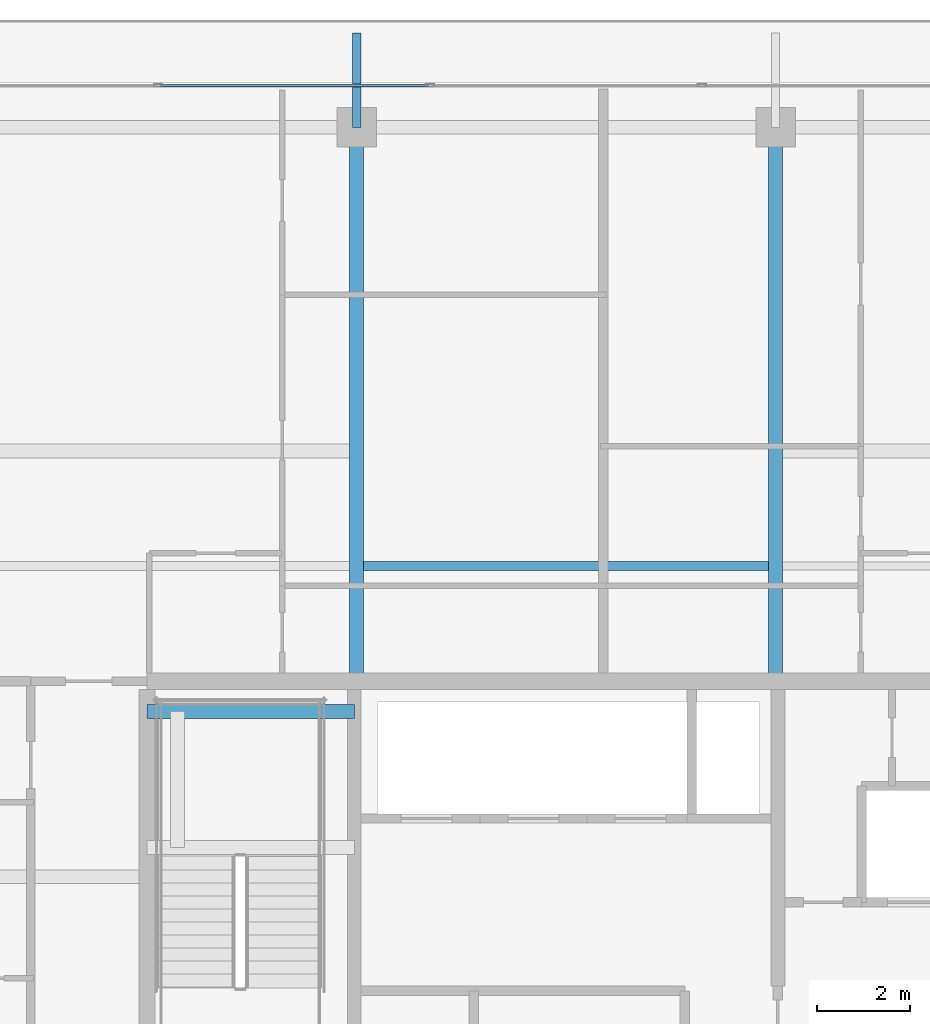
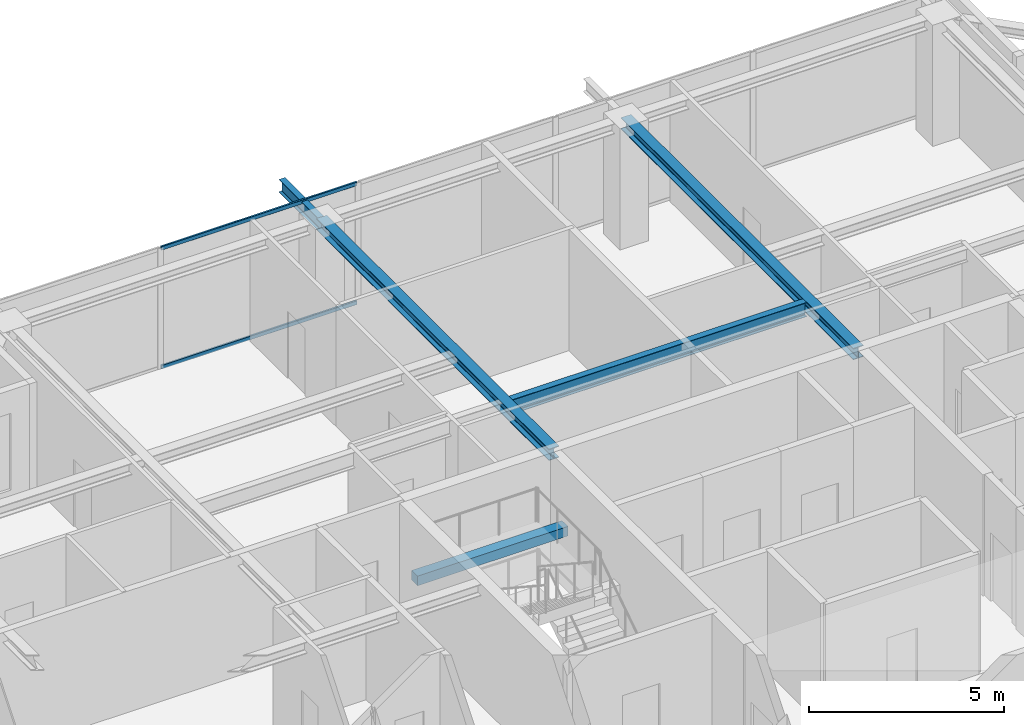
# One storey, part 19 of 36: 5 beams, 2 members, 1 element without a shape of its own.
"""IFC4 building model written with IfcOpenShell, lengths in metres."""

from ifc_helpers import new_model, si_unit, direction, frame, origin, origin_2d, place, context, subcontext, project, spatial, rectangle, hollow_rectangle, i_section, extrude, source, transform, mapped, material, layer, layer_set, material_profile, profile_set, type_object, element, aggregate, save


model = new_model("IFC4")

# Units and contexts
model_context = context("Model", 3, precision=1e-05, world=origin(), true_north=direction((0.0, 1.0)))
body_context = subcontext(model_context, "Body", "Model", "MODEL_VIEW")
ifc_project = project(units=[si_unit("LENGTHUNIT", "METRE"), si_unit("AREAUNIT", "SQUARE_METRE"), si_unit("VOLUMEUNIT", "CUBIC_METRE"), si_unit("PLANEANGLEUNIT", "RADIAN"), si_unit("MASSUNIT", "GRAM", prefix="KILO")], contexts=[model_context])

# Site, building, storey
site_placement = place(None, origin())
site = spatial("IfcSite", under=ifc_project, at=site_placement, CompositionType="ELEMENT")
building_placement = place(site_placement, origin())
building = spatial("IfcBuilding", under=site, at=building_placement, Name="Serunith Strait Residences", CompositionType="ELEMENT")
storey_placement = place(building_placement, frame((0.0, 0.0, 338.0)))
storey = spatial("IfcBuildingStorey", under=building, at=storey_placement, Name="L84", CompositionType="ELEMENT", Elevation=338.0)

# Beams
ifc_material_1 = material(Name="Steel S355J2", Category="steel")
ifc_material_profile_1 = material_profile(ifc_material_1, i_section(OverallWidth=0.18994140625, OverallDepth=0.449951171875, WebThickness=0.009521484375, FlangeThickness=0.0146484375, FilletRadius=0.02099609375, at=origin_2d()), Name="IPE 450")
ifc_profile_set_1 = profile_set([ifc_material_profile_1], Name="Steel S355J2")
beam_type_1 = type_object("IfcBeamType", Name="BM-IPE450", PredefinedType="JOIST", material=ifc_profile_set_1)
shared_shape_1 = source(origin(), body_context, "Body", "SweptSolid", [
    extrude(i_section(OverallWidth=0.18994140625, OverallDepth=0.449951171875, WebThickness=0.009521484375, FlangeThickness=0.0146484375, FilletRadius=0.02099609375, at=origin_2d()), origin(), (0.0, 0.0, 1.0), 8.699951171875),
])
beam_1_placement = place(storey_placement, frame((28.050048828125, 36.074951171875, 3.56201171875), z_axis=(1.0, 0.0, 0.0), x_axis=(0.0, 1.0, 0.0)))
element("IfcBeam", 1, at=beam_1_placement, inside=storey, type_object=beam_type_1, Name="L84 Composite Floor Joist 05", PredefinedType="JOIST", context=body_context, shape_type="MappedRepresentation", body=[
    mapped(shared_shape_1, transform((0.0, 0.0, 0.0), scale=1.0)),
])
ifc_material_profile_2 = material_profile(ifc_material_1, i_section(OverallWidth=0.300048828125, OverallDepth=0.360107421875, WebThickness=0.012451171875, FlangeThickness=0.0224609375, FilletRadius=0.027099609375, at=origin_2d()), Name="HEB 360")
ifc_profile_set_2 = profile_set([ifc_material_profile_2], Name="Steel S355J2")
beam_type_2 = type_object("IfcBeamType", Name="BM-HEB360", PredefinedType="BEAM", material=ifc_profile_set_2)
shared_shape_2 = source(origin(), body_context, "Body", "SweptSolid", [
    extrude(i_section(OverallWidth=0.300048828125, OverallDepth=0.360107421875, WebThickness=0.012451171875, FlangeThickness=0.0224609375, FilletRadius=0.027099609375, at=origin_2d()), origin(), (0.0, 0.0, 1.0), 11.89990234375),
])
for number, where, z_axis, x_axis, name in (
    (2, (27.89990234375, 33.60009765625, 3.60693359375), (0.0, 1.0, 0.0), (-1.0, 0.0, 0.0), "L84 Primary Floor Girder TC-N2"),
    (3, (36.89990234375, 33.60009765625, 3.60693359375), (0.0, 1.0, 0.0), (-1.0, 0.0, 0.0), "L84 Primary Floor Girder TC-N3"),
):
    element("IfcBeam", number, at=place(storey_placement, frame(where, z_axis=z_axis, x_axis=x_axis)), inside=storey, type_object=beam_type_2, Name=name, PredefinedType="BEAM", context=body_context, shape_type="MappedRepresentation", body=[
        mapped(shared_shape_2, transform((0.0, 0.0, 0.0), scale=1.0)),
    ])
ifc_material_profile_3 = material_profile(ifc_material_1, i_section(OverallWidth=0.179931640625, OverallDepth=0.39990234375, WebThickness=0.008544921875, FlangeThickness=0.013427734375, FilletRadius=0.02099609375, at=origin_2d()), Name="IPE 400")
ifc_profile_set_3 = profile_set([ifc_material_profile_3], Name="Steel S355J2")
beam_type_3 = type_object("IfcBeamType", Name="BM-IPE400", PredefinedType="JOIST", material=ifc_profile_set_3)
shared_shape_3 = source(origin(), body_context, "Body", "SweptSolid", [
    extrude(i_section(OverallWidth=0.179931640625, OverallDepth=0.39990234375, WebThickness=0.008544921875, FlangeThickness=0.013427734375, FilletRadius=0.02099609375, at=origin_2d()), origin(), (0.0, 0.0, 1.0), 2.030029296875),
])
beam_2_placement = place(storey_placement, frame((27.89990234375, 45.5, 3.556884765625), z_axis=(0.0, 1.0, 0.0), x_axis=(-1.0, 0.0, 0.0)))
element("IfcBeam", 4, at=beam_2_placement, inside=storey, type_object=beam_type_3, Name="L85 Cantilevered Balcony Rib TC-N2", PredefinedType="JOIST", context=body_context, shape_type="MappedRepresentation", body=[
    mapped(shared_shape_3, transform((0.0, 0.0, 0.0), scale=1.0)),
])
ifc_material_2 = material(Name="Concrete C60/75", Category="concrete")
ifc_material_profile_4 = material_profile(ifc_material_2, rectangle(XDim=0.300048828125, YDim=0.300048828125, at=origin_2d()), Name="RC 300x300")
ifc_profile_set_4 = profile_set([ifc_material_profile_4], Name="Concrete C60/75")
beam_type_4 = type_object("IfcBeamType", Name="BM-LAND-300x300", PredefinedType="BEAM", material=ifc_profile_set_4)
shared_shape_4 = source(origin(), body_context, "Body", "SweptSolid", [
    extrude(rectangle(XDim=0.300048828125, YDim=0.300048828125, at=origin_2d()), origin(), (0.0, 0.0, 1.0), 4.4501953125),
])
beam_3_placement = place(storey_placement, frame((23.39990234375, 32.949951171875, 1.675048828125), z_axis=(1.0, 0.0, 0.0), x_axis=(0.0, 1.0, 0.0)))
element("IfcBeam", 5, at=beam_3_placement, inside=storey, type_object=beam_type_4, Name="L84 ST-1 Landing Support Beam 2", PredefinedType="BEAM", context=body_context, shape_type="MappedRepresentation", body=[
    mapped(shared_shape_4, transform((0.0, 0.0, 0.0), scale=1.0)),
])

# Curtain wall, members
ifc_material_3 = material(Name="Brushed Stainless-Silver Aluminium", Category="aluminium")
ifc_layer = layer(ifc_material_3, 0.199951171875, Name="Brushed Stainless-Silver Aluminium")
ifc_layer_set = layer_set([ifc_layer], Name="Brushed Stainless-Silver Aluminium")
curtain_wall_type = type_object("IfcCurtainWallType", Name="CW-SYS5", PredefinedType="NOTDEFINED", material=ifc_layer_set)
curtain_wall_placement = place(storey_placement, origin())
curtain_wall = element("IfcCurtainWall", 6, at=curtain_wall_placement, inside=storey, type_object=curtain_wall_type, Name="L84 N Unitised Fritted Curtain Wall", PredefinedType="NOTDEFINED")
ifc_material_profile_5 = material_profile(ifc_material_3, hollow_rectangle(XDim=0.06005859375, YDim=0.1201171875, WallThickness=0.00341796875, InnerFilletRadius=0.00537109375, OuterFilletRadius=0.0087890625, at=origin_2d()), Name="ALU 120x60x3.5")
ifc_profile_set_5 = profile_set([ifc_material_profile_5], Name="Brushed Stainless-Silver Aluminium")
member_type = type_object("IfcMemberType", Name="CW-SYS5-TRAN", PredefinedType="USERDEFINED", material=ifc_profile_set_5)
shared_shape_5 = source(origin(), body_context, "Body", "SweptSolid", [
    extrude(hollow_rectangle(XDim=0.06005859375, YDim=0.1201171875, WallThickness=0.00341796875, InnerFilletRadius=0.00537109375, OuterFilletRadius=0.0087890625, at=origin_2d()), origin(), (0.0, 0.0, 1.0), 5.77490234375),
])
member_1_placement = place(storey_placement, frame((29.447509765625, 46.39990234375, 0.030029296875), z_axis=(-1.0, 0.0, 0.0), x_axis=(0.0, -1.0, 0.0)))
member_1 = element("IfcMember", 7, at=member_1_placement, type_object=member_type, Name="CW-5 transom 4.1", ObjectType="TRANSOM", PredefinedType="USERDEFINED", context=body_context, shape_type="MappedRepresentation", body=[
    mapped(shared_shape_5, transform((0.0, 0.0, 0.0), scale=1.0)),
])
member_2_placement = place(storey_placement, frame((29.447509765625, 46.39990234375, 3.7451171875), z_axis=(-1.0, 0.0, 0.0), x_axis=(0.0, -1.0, 0.0)))
member_2 = element("IfcMember", 8, at=member_2_placement, type_object=member_type, Name="CW-5 transom 4.2", ObjectType="TRANSOM", PredefinedType="USERDEFINED", context=body_context, shape_type="MappedRepresentation", body=[
    mapped(shared_shape_5, transform((0.0, 0.0, 0.0), scale=1.0)),
])
aggregate(curtain_wall, [member_1, member_2])

save(model, "model.ifc")
